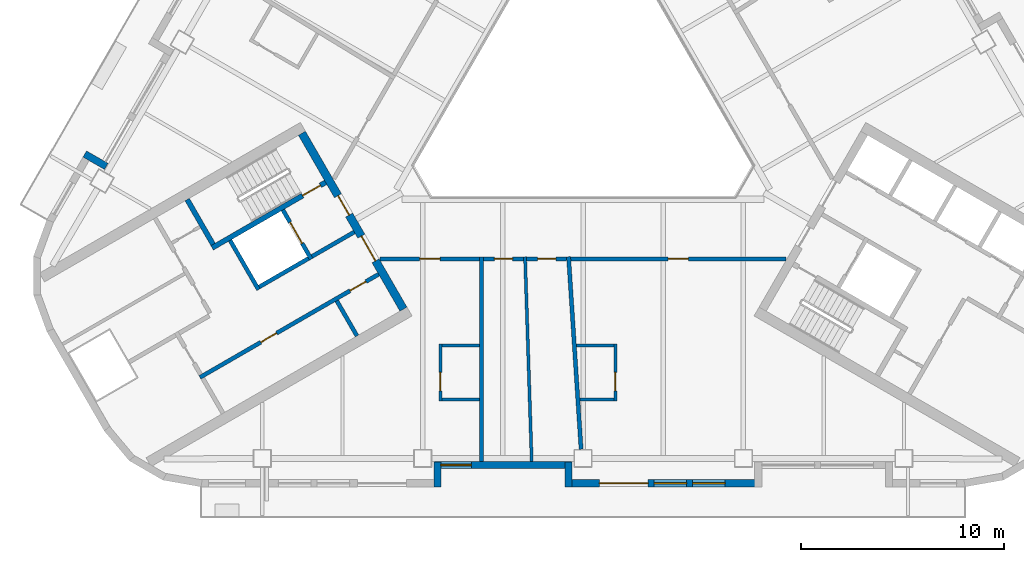
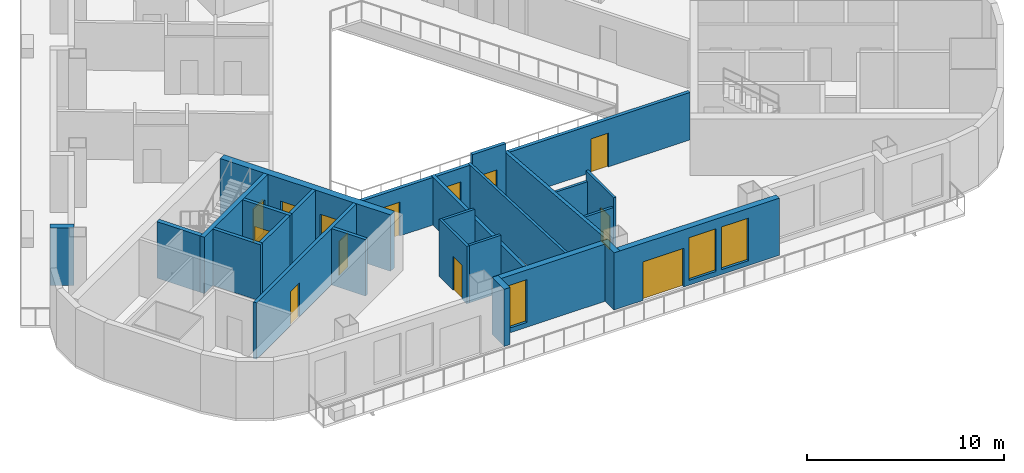
# One storey, part 3 of 13: 27 walls, 13 doors, 3 windows, 16 openings.
"""IFC4 building model written with IfcOpenShell, lengths in metres."""

from ifc_helpers import new_model, si_unit, direction, frame, frame_2d, origin, place, context, subcontext, project, spatial, rectangle, extrude, material, layer, layer_set, type_object, element, fill, save


model = new_model("IFC4")

# Units and contexts
model_context = context("Model", 3, precision=1e-05, world=origin(), true_north=direction((0.0, 1.0)))
body_context = subcontext(model_context, "Body", "Model", "MODEL_VIEW")
ifc_project = project(units=[si_unit("LENGTHUNIT", "METRE"), si_unit("AREAUNIT", "SQUARE_METRE"), si_unit("VOLUMEUNIT", "CUBIC_METRE"), si_unit("PLANEANGLEUNIT", "RADIAN"), si_unit("MASSUNIT", "GRAM", prefix="KILO")], contexts=[model_context])

# Site, building, storey
site_placement = place(None, origin())
site = spatial("IfcSite", under=ifc_project, at=site_placement, CompositionType="ELEMENT")
building_placement = place(site_placement, origin())
building = spatial("IfcBuilding", under=site, at=building_placement, Name="Apuvela Tower Hotel", CompositionType="ELEMENT")
storey_placement = place(building_placement, frame((0.0, 0.0, 102.0)))
storey = spatial("IfcBuildingStorey", under=building, at=storey_placement, Name="L23", CompositionType="ELEMENT", Elevation=102.0)

# Wall, openings, doors
ifc_material_1 = material(Name="Concrete C50/60", Category="concrete")
ifc_layer_1 = layer(ifc_material_1, 0.39990234375)
ifc_layer_set_1 = layer_set([ifc_layer_1], Name="COR-WALL-CORE-400")
wall_type_1 = type_object("IfcWallType", Name="COR-WALL-CORE-400", PredefinedType="SHEAR", material=ifc_layer_set_1)
wall_1_placement = place(storey_placement, frame((-13.844970703125, -2.219970703125, 0.0), z_axis=(0.0, 0.0, 1.0), x_axis=(0.500004234368, -0.866022959057, 0.0)))
wall_1 = element("IfcWall", 1, at=wall_1_placement, inside=storey, type_object=wall_type_1, Name="Core wall SW", PredefinedType="SHEAR", context=body_context, shape_type="SweptSolid", body=[
    extrude(rectangle(XDim=10.0, YDim=0.39990234375, at=frame_2d((5.0, 0.0))), origin(), (0.0, 0.0, 1.0), 3.5),
])
opening_1_placement = place(wall_1_placement, frame((3.550048828125, 0.0, 0.0)))
opening_1 = element("IfcOpeningElement", 2, at=opening_1_placement, cuts=wall_1, Name="Opening W-FD", PredefinedType="OPENING", context=body_context, shape_type="SweptSolid", body=[
    extrude(rectangle(XDim=1.10009765625, YDim=2.10009765625, at=frame_2d((0.550048828125, 1.050048828125))), frame((0.0, 0.2099609375, 0.0), z_axis=(0.0, -1.0, 0.0), x_axis=(1.0, 0.0, 0.0)), (0.0, 0.0, 1.0), 0.419921875),
])
opening_2_placement = place(wall_1_placement, frame((5.85009765625, 0.0, 0.0)))
opening_2 = element("IfcOpeningElement", 3, at=opening_2_placement, cuts=wall_1, Name="Opening W-GD", PredefinedType="OPENING", context=body_context, shape_type="SweptSolid", body=[
    extrude(rectangle(XDim=1.39990234375, YDim=2.10009765625, at=frame_2d((0.699951171875, 1.050048828125))), frame((0.0, 0.2099609375, 0.0), z_axis=(0.0, -1.0, 0.0), x_axis=(1.0, 0.0, 0.0)), (0.0, 0.0, 1.0), 0.419921875),
])
ifc_material_2 = material(Name="Steel fire door, powder coated", Category="steel")
door_type_1 = type_object("IfcDoorType", Name="COR-FD-1100", OperationType="NOTDEFINED", PredefinedType="DOOR", material=ifc_material_2)
door_1_placement = place(opening_1_placement, frame((1.10009765625, 0.0, 0.0), z_axis=(0.0, 0.0, 1.0), x_axis=(-1.0, 0.0, 0.0)))
door_1 = element("IfcDoor", 4, at=door_1_placement, inside=storey, type_object=door_type_1, Name="Firefighting lobby door W-FD", OperationType="SINGLE_SWING_LEFT", OverallHeight=2.10009765625, OverallWidth=1.10009765625, PredefinedType="DOOR", context=body_context, shape_type="SweptSolid", body=[
    extrude(rectangle(XDim=1.10009765625, YDim=2.10009765625, at=frame_2d((0.550048828125, 1.050048828125))), frame((0.0, 0.02490234375, 0.0), z_axis=(0.0, -1.0, 0.0), x_axis=(1.0, 0.0, 0.0)), (0.0, 0.0, 1.0), 0.050048828125),
])
fill(opening_1, door_1)
ifc_material_3 = material(Name="Glazed steel fire door", Category="steel")
door_type_2 = type_object("IfcDoorType", Name="COR-GD-1400", OperationType="DOUBLE_DOOR_SINGLE_SWING", PredefinedType="DOOR", material=ifc_material_3)
door_2_placement = place(opening_2_placement, frame((1.39990234375, 0.0, 0.0), z_axis=(0.0, 0.0, 1.0), x_axis=(-1.0, 0.0, 0.0)))
door_2 = element("IfcDoor", 5, at=door_2_placement, inside=storey, type_object=door_type_2, Name="Lift lobby door W-GD", OperationType="DOUBLE_DOOR_SINGLE_SWING", OverallHeight=2.10009765625, OverallWidth=1.39990234375, PredefinedType="DOOR", context=body_context, shape_type="SweptSolid", body=[
    extrude(rectangle(XDim=1.39990234375, YDim=2.10009765625, at=frame_2d((0.699951171875, 1.050048828125))), frame((0.0, 0.02490234375, 0.0), z_axis=(0.0, -1.0, 0.0), x_axis=(1.0, 0.0, 0.0)), (0.0, 0.0, 1.0), 0.050048828125),
])
fill(opening_2, door_2)

# Wall
ifc_layer_2 = layer(ifc_material_1, 0.199951171875)
ifc_layer_set_2 = layer_set([ifc_layer_2], Name="COR-WALL-SHAFT-200")
wall_type_2 = type_object("IfcWallType", Name="COR-WALL-SHAFT-200", PredefinedType="SHEAR", material=ifc_layer_set_2)
wall_2_placement = place(storey_placement, frame((-17.38134765625, -7.49462890625, 0.0), z_axis=(0.0, 0.0, 1.0), x_axis=(0.500011755427, -0.866018616679, 0.0)))
element("IfcWall", 6, at=wall_2_placement, inside=storey, type_object=wall_type_2, Name="Shaft wall SW", PredefinedType="SHEAR", context=body_context, shape_type="SweptSolid", body=[
    extrude(rectangle(XDim=2.80029296875, YDim=0.199951171875, at=frame_2d((1.400146484375, 0.0))), origin(), (0.0, 0.0, 1.0), 3.5),
])

# Wall, opening, door
wall_3_placement = place(storey_placement, frame((-14.783203125, -5.99462890625, 0.0), z_axis=(0.0, 0.0, 1.0), x_axis=(0.49994636267, -0.866056369097, 0.0)))
wall_3 = element("IfcWall", 7, at=wall_3_placement, inside=storey, type_object=wall_type_2, Name="Shaft wall SW", PredefinedType="SHEAR", context=body_context, shape_type="SweptSolid", body=[
    extrude(rectangle(XDim=2.800048828125, YDim=0.199951171875, at=frame_2d((1.39990234375, 0.0))), origin(), (0.0, 0.0, 1.0), 3.5),
])
opening_3_placement = place(wall_3_placement, frame((0.699951171875, 0.0, 0.0)))
opening_3 = element("IfcOpeningElement", 8, at=opening_3_placement, cuts=wall_3, Name="Opening W-LD-FS2", PredefinedType="OPENING", context=body_context, shape_type="SweptSolid", body=[
    extrude(rectangle(XDim=1.199951171875, YDim=2.10009765625, at=frame_2d((0.60009765625, 1.050048828125))), frame((0.0, 0.10986328125, 0.0), z_axis=(0.0, -1.0, 0.0), x_axis=(1.0, 0.0, 0.0)), (0.0, 0.0, 1.0), 0.219970703125),
])
ifc_material_4 = material(Name="Stainless steel lift landing door", Category="steel")
door_type_3 = type_object("IfcDoorType", Name="COR-LD-1200", OperationType="DOUBLE_DOOR_SLIDING", PredefinedType="DOOR", material=ifc_material_4)
door_3_placement = place(opening_3_placement, origin())
door_3 = element("IfcDoor", 9, at=door_3_placement, inside=storey, type_object=door_type_3, Name="Lift landing door W-LD-FS2", OperationType="DOUBLE_DOOR_SLIDING", OverallHeight=2.10009765625, OverallWidth=1.199951171875, PredefinedType="DOOR", context=body_context, shape_type="SweptSolid", body=[
    extrude(rectangle(XDim=1.199951171875, YDim=2.10009765625, at=frame_2d((0.60009765625, 1.050048828125))), frame((0.0, 0.02490234375, 0.0), z_axis=(0.0, -1.0, 0.0), x_axis=(1.0, 0.0, 0.0)), (0.0, 0.0, 1.0), 0.050048828125),
])
fill(opening_3, door_3)

# Walls
wall_4_placement = place(storey_placement, frame((-13.519775390625, -8.383056640625, 0.0), z_axis=(0.0, 0.0, 1.0), x_axis=(-0.866034573852, -0.49998411664, 0.0)))
element("IfcWall", 10, at=wall_4_placement, inside=storey, type_object=wall_type_2, Name="Shaft wall SW", PredefinedType="SHEAR", context=body_context, shape_type="SweptSolid", body=[
    extrude(rectangle(XDim=2.7998046875, YDim=0.199951171875, at=frame_2d((1.39990234375, 0.0))), origin(), (0.0, 0.0, 1.0), 3.5),
])
wall_5_placement = place(storey_placement, frame((-11.26806640625, -7.0830078125, 0.0), z_axis=(0.0, 0.0, 1.0), x_axis=(-0.866050077142, -0.499957262057, 0.0)))
element("IfcWall", 11, at=wall_5_placement, inside=storey, type_object=wall_type_2, Name="Shaft wall SW", PredefinedType="SHEAR", context=body_context, shape_type="SweptSolid", body=[
    extrude(rectangle(XDim=2.400146484375, YDim=0.199951171875, at=frame_2d((1.2001953125, 0.0))), origin(), (0.0, 0.0, 1.0), 3.5),
])

# Wall, openings, doors
wall_6_placement = place(storey_placement, frame((-10.068115234375, -9.16162109375, 0.0), z_axis=(0.0, 0.0, 1.0), x_axis=(-0.866032725843, -0.499987317609, 0.0)))
wall_6 = element("IfcWall", 12, at=wall_6_placement, inside=storey, type_object=wall_type_2, Name="Shaft wall SW", PredefinedType="SHEAR", context=body_context, shape_type="SweptSolid", body=[
    extrude(rectangle(XDim=10.159912109375, YDim=0.199951171875, at=frame_2d((5.080078125, 0.0))), origin(), (0.0, 0.0, 1.0), 3.5),
])
opening_4_placement = place(wall_6_placement, frame((0.719970703125, 0.0, 0.0)))
opening_4 = element("IfcOpeningElement", 13, at=opening_4_placement, cuts=wall_6, Name="Opening W-RE1", PredefinedType="OPENING", context=body_context, shape_type="SweptSolid", body=[
    extrude(rectangle(XDim=0.89990234375, YDim=2.10009765625, at=frame_2d((0.449951171875, 1.050048828125))), frame((0.0, 0.10986328125, 0.0), z_axis=(0.0, -1.0, 0.0), x_axis=(1.0, 0.0, 0.0)), (0.0, 0.0, 1.0), 0.219970703125),
])
opening_5_placement = place(wall_6_placement, frame((5.800048828125, 0.0, 0.0)))
opening_5 = element("IfcOpeningElement", 14, at=opening_5_placement, cuts=wall_6, Name="Opening W-RE2", PredefinedType="OPENING", context=body_context, shape_type="SweptSolid", body=[
    extrude(rectangle(XDim=0.89990234375, YDim=2.10009765625, at=frame_2d((0.449951171875, 1.050048828125))), frame((0.0, 0.10986328125, 0.0), z_axis=(0.0, -1.0, 0.0), x_axis=(1.0, 0.0, 0.0)), (0.0, 0.0, 1.0), 0.219970703125),
])
door_type_4 = type_object("IfcDoorType", Name="COR-DR-900", OperationType="NOTDEFINED", PredefinedType="DOOR", material=ifc_material_2)
door_4_placement = place(opening_4_placement, origin())
door_4 = element("IfcDoor", 15, at=door_4_placement, inside=storey, type_object=door_type_4, Name="Store door W-RE1", OperationType="SINGLE_SWING_LEFT", OverallHeight=2.10009765625, OverallWidth=0.89990234375, PredefinedType="DOOR", context=body_context, shape_type="SweptSolid", body=[
    extrude(rectangle(XDim=0.89990234375, YDim=2.10009765625, at=frame_2d((0.449951171875, 1.050048828125))), frame((0.0, 0.02490234375, 0.0), z_axis=(0.0, -1.0, 0.0), x_axis=(1.0, 0.0, 0.0)), (0.0, 0.0, 1.0), 0.050048828125),
])
fill(opening_4, door_4)
door_5_placement = place(opening_5_placement, origin())
door_5 = element("IfcDoor", 16, at=door_5_placement, inside=storey, type_object=door_type_4, Name="Store door W-RE2", OperationType="SINGLE_SWING_RIGHT", OverallHeight=2.10009765625, OverallWidth=0.89990234375, PredefinedType="DOOR", context=body_context, shape_type="SweptSolid", body=[
    extrude(rectangle(XDim=0.89990234375, YDim=2.10009765625, at=frame_2d((0.449951171875, 1.050048828125))), frame((0.0, 0.02490234375, 0.0), z_axis=(0.0, -1.0, 0.0), x_axis=(1.0, 0.0, 0.0)), (0.0, 0.0, 1.0), 0.050048828125),
])
fill(opening_5, door_5)

# Wall
wall_7_placement = place(storey_placement, frame((-12.131103515625, -10.468017578125, 0.0), z_axis=(0.0, 0.0, 1.0), x_axis=(0.499972520799, -0.866041268327, 0.0)))
element("IfcWall", 17, at=wall_7_placement, inside=storey, type_object=wall_type_2, Name="Shaft wall SW", PredefinedType="SHEAR", context=body_context, shape_type="SweptSolid", body=[
    extrude(rectangle(XDim=2.0, YDim=0.199951171875, at=frame_2d((1.0, 0.0))), origin(), (0.0, 0.0, 1.0), 3.5),
])

# Wall, opening, door
ifc_layer_3 = layer(ifc_material_1, 0.25)
ifc_layer_set_3 = layer_set([ifc_layer_3], Name="COR-WALL-STAIR-250")
wall_type_3 = type_object("IfcWallType", Name="COR-WALL-STAIR-250", PredefinedType="SHEAR", material=ifc_layer_set_3)
wall_8_placement = place(storey_placement, frame((-12.6806640625, -4.636474609375, 0.0), z_axis=(0.0, 0.0, 1.0), x_axis=(-0.866021702275, -0.500006411147, 0.0)))
wall_8 = element("IfcWall", 18, at=wall_8_placement, inside=storey, type_object=wall_type_3, Name="Stair wall SW", PredefinedType="SHEAR", context=body_context, shape_type="SweptSolid", body=[
    extrude(rectangle(XDim=6.4501953125, YDim=0.25, at=frame_2d((3.22509765625, 0.0))), origin(), (0.0, 0.0, 1.0), 3.5),
])
opening_6_placement = place(wall_8_placement, frame((0.300048828125, 0.0, 0.0)))
opening_6 = element("IfcOpeningElement", 19, at=opening_6_placement, cuts=wall_8, Name="Opening W-SD", PredefinedType="OPENING", context=body_context, shape_type="SweptSolid", body=[
    extrude(rectangle(XDim=1.0, YDim=2.10009765625, at=frame_2d((0.5, 1.050048828125))), frame((0.0, 0.135009765625, 0.0), z_axis=(0.0, -1.0, 0.0), x_axis=(1.0, 0.0, 0.0)), (0.0, 0.0, 1.0), 0.27001953125),
])
door_type_5 = type_object("IfcDoorType", Name="COR-SD-1000", OperationType="NOTDEFINED", PredefinedType="DOOR", material=ifc_material_2)
door_6_placement = place(opening_6_placement, frame((1.0, 0.0, 0.0), z_axis=(0.0, 0.0, 1.0), x_axis=(-1.0, 0.0, 0.0)))
door_6 = element("IfcDoor", 20, at=door_6_placement, inside=storey, type_object=door_type_5, Name="Stair door W-SD", OperationType="SINGLE_SWING_LEFT", OverallHeight=2.10009765625, OverallWidth=1.0, PredefinedType="DOOR", context=body_context, shape_type="SweptSolid", body=[
    extrude(rectangle(XDim=1.0, YDim=2.10009765625, at=frame_2d((0.5, 1.050048828125))), frame((0.0, 0.02490234375, 0.0), z_axis=(0.0, -1.0, 0.0), x_axis=(1.0, 0.0, 0.0)), (0.0, 0.0, 1.0), 0.050048828125),
])
fill(opening_6, door_6)

# Walls
wall_9_placement = place(storey_placement, frame((-19.49560546875, -5.482421875, 0.0), z_axis=(0.0, 0.0, 1.0), x_axis=(0.499990435942, -0.866030925526, 0.0)))
element("IfcWall", 21, at=wall_9_placement, inside=storey, type_object=wall_type_3, Name="Stair wall SW", PredefinedType="SHEAR", context=body_context, shape_type="SweptSolid", body=[
    extrude(rectangle(XDim=2.5498046875, YDim=0.25, at=frame_2d((1.27490234375, 0.0))), origin(), (0.0, 0.0, 1.0), 3.5),
])
ifc_material_5 = material(Name="Concrete C40/50, dark pigmented precast panel", Category="concrete")
ifc_layer_4 = layer(ifc_material_5, 0.35009765625)
ifc_layer_set_4 = layer_set([ifc_layer_4], Name="ENV-WALL-350")
wall_type_4 = type_object("IfcWallType", Name="ENV-WALL-350", PredefinedType="SOLIDWALL", material=ifc_layer_set_4)
for number, where, z_axis, x_axis, name in (
    (22, (-23.48095703125, -3.85009765625, 0.0), (0.0, 0.0, 1.0), (-0.866092288191, 0.499884134912, 0.0), "External wall L23-08"),
    (23, (-7.175048828125, -19.6298828125, 0.0), (0.0, 0.0, 1.0), (0.0, 1.0, 0.0), "External wall L23-18"),
):
    element("IfcWall", number, at=place(storey_placement, frame(where, z_axis=z_axis, x_axis=x_axis)), inside=storey, type_object=wall_type_4, Name=name, PredefinedType="SOLIDWALL", context=body_context, shape_type="SweptSolid", body=[
        extrude(rectangle(XDim=1.219970703125, YDim=0.35009765625, at=frame_2d((0.60986328125, 0.0))), origin(), (0.0, 0.0, 1.0), 3.550048828125),
    ])

# Wall, opening, window
wall_10_placement = place(storey_placement, frame((-7.320068359375, -18.554931640625, 0.0), z_axis=(0.0, 0.0, 1.0), x_axis=(1.0, 0.0, 0.0)))
wall_10 = element("IfcWall", 24, at=wall_10_placement, inside=storey, type_object=wall_type_4, Name="External wall L23-19", PredefinedType="SOLIDWALL", context=body_context, shape_type="SweptSolid", body=[
    extrude(rectangle(XDim=6.739990234375, YDim=0.35009765625, at=frame_2d((3.3701171875, 0.0))), origin(), (0.0, 0.0, 1.0), 3.550048828125),
])
opening_7_placement = place(wall_10_placement, frame((0.3203125, 0.0, 0.300048828125)))
opening_7 = element("IfcOpeningElement", 25, at=opening_7_placement, cuts=wall_10, Name="Opening WN15", PredefinedType="OPENING", context=body_context, shape_type="SweptSolid", body=[
    extrude(rectangle(XDim=1.5, YDim=2.64990234375, at=frame_2d((0.75, 1.324951171875))), frame((0.0, 0.18505859375, 0.0), z_axis=(0.0, -1.0, 0.0), x_axis=(1.0, 0.0, 0.0)), (0.0, 0.0, 1.0), 0.3701171875),
])
ifc_material_6 = material(Name="Glass, dark tinted laminated insulated glazing unit", Category="glass")
window_type_1 = type_object("IfcWindowType", Name="ENV-WIN-1500x2650", PartitioningType="SINGLE_PANEL", PredefinedType="WINDOW", material=ifc_material_6)
window_1_placement = place(opening_7_placement, origin())
window_1 = element("IfcWindow", 26, at=window_1_placement, inside=storey, type_object=window_type_1, Name="Window WN15", OverallHeight=2.64990234375, OverallWidth=1.5, PartitioningType="SINGLE_PANEL", PredefinedType="WINDOW", context=body_context, shape_type="SweptSolid", body=[
    extrude(rectangle(XDim=1.5, YDim=2.64990234375, at=frame_2d((0.75, 1.324951171875))), frame((0.0, 0.030029296875, 0.0), z_axis=(0.0, -1.0, 0.0), x_axis=(1.0, 0.0, 0.0)), (0.0, 0.0, 1.0), 0.06005859375),
])
fill(opening_7, window_1)

# Wall
wall_11_placement = place(storey_placement, frame((-0.72509765625, -18.409912109375, 0.0), z_axis=(0.0, 0.0, 1.0), x_axis=(0.0, -1.0, 0.0)))
element("IfcWall", 27, at=wall_11_placement, inside=storey, type_object=wall_type_4, Name="External wall L23-20", PredefinedType="SOLIDWALL", context=body_context, shape_type="SweptSolid", body=[
    extrude(rectangle(XDim=1.219970703125, YDim=0.35009765625, at=frame_2d((0.60986328125, 0.0))), origin(), (0.0, 0.0, 1.0), 3.550048828125),
])

# Wall, openings, door, windows
wall_12_placement = place(storey_placement, frame((-0.89990234375, -19.455078125, 0.0), z_axis=(0.0, 0.0, 1.0), x_axis=(1.0, 0.0, 0.0)))
wall_12 = element("IfcWall", 28, at=wall_12_placement, inside=storey, type_object=wall_type_4, Name="External wall L23-21", PredefinedType="SOLIDWALL", context=body_context, shape_type="SweptSolid", body=[
    extrude(rectangle(XDim=9.699951171875, YDim=0.35009765625, at=frame_2d((4.85009765625, 0.0))), origin(), (0.0, 0.0, 1.0), 3.550048828125),
])
opening_8_placement = place(wall_12_placement, frame((1.7001953125, 0.0, 0.0)))
opening_8 = element("IfcOpeningElement", 29, at=opening_8_placement, cuts=wall_12, Name="Opening BD24", PredefinedType="OPENING", context=body_context, shape_type="SweptSolid", body=[
    extrude(rectangle(XDim=2.39990234375, YDim=2.39990234375, at=frame_2d((1.199951171875, 1.199951171875))), frame((0.0, 0.18505859375, 0.0), z_axis=(0.0, -1.0, 0.0), x_axis=(1.0, 0.0, 0.0)), (0.0, 0.0, 1.0), 0.3701171875),
])
opening_9_placement = place(wall_12_placement, frame((4.400146484375, 0.0, 0.300048828125)))
opening_9 = element("IfcOpeningElement", 30, at=opening_9_placement, cuts=wall_12, Name="Opening WN16", PredefinedType="OPENING", context=body_context, shape_type="SweptSolid", body=[
    extrude(rectangle(XDim=1.60009765625, YDim=2.64990234375, at=frame_2d((0.800048828125, 1.324951171875))), frame((0.0, 0.18505859375, 0.0), z_axis=(0.0, -1.0, 0.0), x_axis=(1.0, 0.0, 0.0)), (0.0, 0.0, 1.0), 0.3701171875),
])
opening_10_placement = place(wall_12_placement, frame((6.30029296875, 0.0, 0.300048828125)))
opening_10 = element("IfcOpeningElement", 31, at=opening_10_placement, cuts=wall_12, Name="Opening WN16", PredefinedType="OPENING", context=body_context, shape_type="SweptSolid", body=[
    extrude(rectangle(XDim=1.60009765625, YDim=2.64990234375, at=frame_2d((0.800048828125, 1.324951171875))), frame((0.0, 0.18505859375, 0.0), z_axis=(0.0, -1.0, 0.0), x_axis=(1.0, 0.0, 0.0)), (0.0, 0.0, 1.0), 0.3701171875),
])
ifc_material_7 = material(Name="Aluminium 6063-T6, dark bronze anodised frame with dark tinted laminated glass", Category="aluminium")
door_type_6 = type_object("IfcDoorType", Name="ENV-DOOR-BALCONY-2400x2400", OperationType="SLIDING_TO_LEFT", PredefinedType="DOOR", material=ifc_material_7)
door_7_placement = place(opening_8_placement, frame((2.39990234375, 0.0, 0.0), z_axis=(0.0, 0.0, 1.0), x_axis=(-1.0, 0.0, 0.0)))
door_7 = element("IfcDoor", 32, at=door_7_placement, inside=storey, type_object=door_type_6, Name="Balcony door BD24", OperationType="SLIDING_TO_LEFT", OverallHeight=2.39990234375, OverallWidth=2.39990234375, PredefinedType="DOOR", context=body_context, shape_type="SweptSolid", body=[
    extrude(rectangle(XDim=2.39990234375, YDim=2.39990234375, at=frame_2d((1.199951171875, 1.199951171875))), frame((0.0, 0.02490234375, 0.0), z_axis=(0.0, -1.0, 0.0), x_axis=(1.0, 0.0, 0.0)), (0.0, 0.0, 1.0), 0.050048828125),
])
fill(opening_8, door_7)
window_type_2 = type_object("IfcWindowType", Name="ENV-WIN-1600x2650", PartitioningType="SINGLE_PANEL", PredefinedType="WINDOW", material=ifc_material_6)
window_2_placement = place(opening_9_placement, origin())
window_2 = element("IfcWindow", 33, at=window_2_placement, inside=storey, type_object=window_type_2, Name="Window WN16", OverallHeight=2.64990234375, OverallWidth=1.60009765625, PartitioningType="SINGLE_PANEL", PredefinedType="WINDOW", context=body_context, shape_type="SweptSolid", body=[
    extrude(rectangle(XDim=1.60009765625, YDim=2.64990234375, at=frame_2d((0.800048828125, 1.324951171875))), frame((0.0, 0.030029296875, 0.0), z_axis=(0.0, -1.0, 0.0), x_axis=(1.0, 0.0, 0.0)), (0.0, 0.0, 1.0), 0.06005859375),
])
fill(opening_9, window_2)
window_3_placement = place(opening_10_placement, origin())
window_3 = element("IfcWindow", 34, at=window_3_placement, inside=storey, type_object=window_type_2, Name="Window WN16", OverallHeight=2.64990234375, OverallWidth=1.60009765625, PartitioningType="SINGLE_PANEL", PredefinedType="WINDOW", context=body_context, shape_type="SweptSolid", body=[
    extrude(rectangle(XDim=1.60009765625, YDim=2.64990234375, at=frame_2d((0.800048828125, 1.324951171875))), frame((0.0, 0.030029296875, 0.0), z_axis=(0.0, -1.0, 0.0), x_axis=(1.0, 0.0, 0.0)), (0.0, 0.0, 1.0), 0.06005859375),
])
fill(opening_10, window_3)

# Walls
ifc_material_8 = material(Name="Gypsum board partition on twin steel stud", Category="steel")
ifc_layer_5 = layer(ifc_material_8, 0.199951171875)
ifc_layer_set_5 = layer_set([ifc_layer_5], Name="GST-PW1")
wall_type_5 = type_object("IfcWallType", Name="GST-PW1", PredefinedType="PARTITIONING", material=ifc_layer_set_5)
wall_13_placement = place(storey_placement, frame((-5.0, -18.3798828125, 0.0), z_axis=(0.0, 0.0, 1.0), x_axis=(0.0, 1.0, 0.0)))
element("IfcWall", 35, at=wall_13_placement, inside=storey, type_object=wall_type_5, Name="L23 partition 01", PredefinedType="PARTITIONING", context=body_context, shape_type="SweptSolid", body=[
    extrude(rectangle(XDim=10.079833984375, YDim=0.199951171875, at=frame_2d((5.0400390625, 0.0))), origin(), (0.0, 0.0, 1.0), 2.9599609375),
])
wall_14_placement = place(storey_placement, frame((-0.097412109375, -17.780029296875, 0.0), z_axis=(0.0, 0.0, 1.0), x_axis=(-0.064787627283, 0.997899074732, 0.0)))
element("IfcWall", 36, at=wall_14_placement, inside=storey, type_object=wall_type_5, Name="L23 partition 02", PredefinedType="PARTITIONING", context=body_context, shape_type="SweptSolid", body=[
    extrude(rectangle(XDim=9.5, YDim=0.199951171875, at=frame_2d((4.75, 0.0))), origin(), (0.0, 0.0, 1.0), 2.949951171875),
])

# Wall, opening, door
ifc_material_9 = material(Name="Gypsum board corridor wall on twin steel stud, acoustic", Category="steel")
ifc_layer_6 = layer(ifc_material_9, 0.199951171875)
ifc_layer_set_6 = layer_set([ifc_layer_6], Name="GST-PW2")
wall_type_6 = type_object("IfcWallType", Name="GST-PW2", PredefinedType="PARTITIONING", material=ifc_layer_set_6)
wall_15_placement = place(storey_placement, frame((-5.10009765625, -8.39990234375, 0.0), z_axis=(0.0, 0.0, 1.0), x_axis=(-1.0, 0.0, 0.0)))
wall_15 = element("IfcWall", 37, at=wall_15_placement, inside=storey, type_object=wall_type_6, Name="L23 partition 07", PredefinedType="PARTITIONING", context=body_context, shape_type="SweptSolid", body=[
    extrude(rectangle(XDim=4.88818359375, YDim=0.199951171875, at=frame_2d((2.444091796875, 0.0))), origin(), (0.0, 0.0, 1.0), 2.949951171875),
])
opening_11_placement = place(wall_15_placement, frame((1.944091796875, 0.0, 0.0)))
opening_11 = element("IfcOpeningElement", 38, at=opening_11_placement, cuts=wall_15, Name="Opening GD08-02", PredefinedType="OPENING", context=body_context, shape_type="SweptSolid", body=[
    extrude(rectangle(XDim=1.0, YDim=2.10009765625, at=frame_2d((0.5, 1.050048828125))), frame((0.0, 0.10986328125, 0.0), z_axis=(0.0, -1.0, 0.0), x_axis=(1.0, 0.0, 0.0)), (0.0, 0.0, 1.0), 0.219970703125),
])
ifc_material_10 = material(Name="Timber door leaf in steel frame", Category="steel")
door_type_7 = type_object("IfcDoorType", Name="GST-D1", OperationType="NOTDEFINED", PredefinedType="DOOR", material=ifc_material_10)
door_8_placement = place(opening_11_placement, origin())
door_8 = element("IfcDoor", 39, at=door_8_placement, inside=storey, type_object=door_type_7, Name="Door L23-02", OperationType="SINGLE_SWING_LEFT", OverallHeight=2.10009765625, OverallWidth=1.0, PredefinedType="DOOR", context=body_context, shape_type="SweptSolid", body=[
    extrude(rectangle(XDim=1.0, YDim=2.10009765625, at=frame_2d((0.5, 1.050048828125))), frame((0.0, 0.02490234375, 0.0), z_axis=(0.0, -1.0, 0.0), x_axis=(1.0, 0.0, 0.0)), (0.0, 0.0, 1.0), 0.050048828125),
])
fill(opening_11, door_8)

wall_16_placement = place(storey_placement, frame((-2.92822265625, -8.39990234375, 0.0), z_axis=(0.0, 0.0, 1.0), x_axis=(-1.0, 0.0, 0.0)))
wall_16 = element("IfcWall", 40, at=wall_16_placement, inside=storey, type_object=wall_type_6, Name="L23 partition 12", PredefinedType="PARTITIONING", context=body_context, shape_type="SweptSolid", body=[
    extrude(rectangle(XDim=1.9716796875, YDim=0.199951171875, at=frame_2d((0.98583984375, 0.0))), origin(), (0.0, 0.0, 1.0), 2.949951171875),
])
opening_12_placement = place(wall_16_placement, frame((0.535888671875, 0.0, 0.0)))
opening_12 = element("IfcOpeningElement", 41, at=opening_12_placement, cuts=wall_16, Name="Opening GD08-03", PredefinedType="OPENING", context=body_context, shape_type="SweptSolid", body=[
    extrude(rectangle(XDim=0.89990234375, YDim=2.10009765625, at=frame_2d((0.449951171875, 1.050048828125))), frame((0.0, 0.10986328125, 0.0), z_axis=(0.0, -1.0, 0.0), x_axis=(1.0, 0.0, 0.0)), (0.0, 0.0, 1.0), 0.219970703125),
])
door_type_8 = type_object("IfcDoorType", Name="GST-D2", OperationType="NOTDEFINED", PredefinedType="DOOR", material=ifc_material_10)
door_9_placement = place(opening_12_placement, origin())
door_9 = element("IfcDoor", 42, at=door_9_placement, inside=storey, type_object=door_type_8, Name="Door L23-03", OperationType="SINGLE_SWING_LEFT", OverallHeight=2.10009765625, OverallWidth=0.89990234375, PredefinedType="DOOR", context=body_context, shape_type="SweptSolid", body=[
    extrude(rectangle(XDim=0.89990234375, YDim=2.10009765625, at=frame_2d((0.449951171875, 1.050048828125))), frame((0.0, 0.02490234375, 0.0), z_axis=(0.0, -1.0, 0.0), x_axis=(1.0, 0.0, 0.0)), (0.0, 0.0, 1.0), 0.050048828125),
])
fill(opening_12, door_9)

wall_17_placement = place(storey_placement, frame((-0.806640625, -8.39990234375, 0.0), z_axis=(0.0, 0.0, 1.0), x_axis=(-1.0, 0.0, 0.0)))
wall_17 = element("IfcWall", 43, at=wall_17_placement, inside=storey, type_object=wall_type_6, Name="L23 partition 13", PredefinedType="PARTITIONING", context=body_context, shape_type="SweptSolid", body=[
    extrude(rectangle(XDim=1.9716796875, YDim=0.199951171875, at=frame_2d((0.98583984375, 0.0))), origin(), (0.0, 0.0, 1.0), 3.550048828125),
])
opening_13_placement = place(wall_17_placement, frame((0.535888671875, 0.0, 0.0)))
opening_13 = element("IfcOpeningElement", 44, at=opening_13_placement, cuts=wall_17, Name="Opening GD08-04", PredefinedType="OPENING", context=body_context, shape_type="SweptSolid", body=[
    extrude(rectangle(XDim=0.89990234375, YDim=2.10009765625, at=frame_2d((0.449951171875, 1.050048828125))), frame((0.0, 0.10986328125, 0.0), z_axis=(0.0, -1.0, 0.0), x_axis=(1.0, 0.0, 0.0)), (0.0, 0.0, 1.0), 0.219970703125),
])
door_10_placement = place(opening_13_placement, origin())
door_10 = element("IfcDoor", 45, at=door_10_placement, inside=storey, type_object=door_type_8, Name="Door L23-04", OperationType="SINGLE_SWING_RIGHT", OverallHeight=2.10009765625, OverallWidth=0.89990234375, PredefinedType="DOOR", context=body_context, shape_type="SweptSolid", body=[
    extrude(rectangle(XDim=0.89990234375, YDim=2.10009765625, at=frame_2d((0.449951171875, 1.050048828125))), frame((0.0, 0.02490234375, 0.0), z_axis=(0.0, -1.0, 0.0), x_axis=(1.0, 0.0, 0.0)), (0.0, 0.0, 1.0), 0.050048828125),
])
fill(opening_13, door_10)

wall_18_placement = place(storey_placement, frame((9.98828125, -8.39990234375, 0.0), z_axis=(0.0, 0.0, 1.0), x_axis=(-1.0, 0.0, 0.0)))
wall_18 = element("IfcWall", 46, at=wall_18_placement, inside=storey, type_object=wall_type_6, Name="L23 partition 14", PredefinedType="PARTITIONING", context=body_context, shape_type="SweptSolid", body=[
    extrude(rectangle(XDim=10.594482421875, YDim=0.199951171875, at=frame_2d((5.29736328125, 0.0))), origin(), (0.0, 0.0, 1.0), 2.949951171875),
])
opening_14_placement = place(wall_18_placement, frame((4.79736328125, 0.0, 0.0)))
opening_14 = element("IfcOpeningElement", 47, at=opening_14_placement, cuts=wall_18, Name="Opening GD08-06", PredefinedType="OPENING", context=body_context, shape_type="SweptSolid", body=[
    extrude(rectangle(XDim=1.0, YDim=2.10009765625, at=frame_2d((0.5, 1.050048828125))), frame((0.0, 0.10986328125, 0.0), z_axis=(0.0, -1.0, 0.0), x_axis=(1.0, 0.0, 0.0)), (0.0, 0.0, 1.0), 0.219970703125),
])
door_11_placement = place(opening_14_placement, origin())
door_11 = element("IfcDoor", 48, at=door_11_placement, inside=storey, type_object=door_type_7, Name="Door L23-06", OperationType="SINGLE_SWING_RIGHT", OverallHeight=2.10009765625, OverallWidth=1.0, PredefinedType="DOOR", context=body_context, shape_type="SweptSolid", body=[
    extrude(rectangle(XDim=1.0, YDim=2.10009765625, at=frame_2d((0.5, 1.050048828125))), frame((0.0, 0.02490234375, 0.0), z_axis=(0.0, -1.0, 0.0), x_axis=(1.0, 0.0, 0.0)), (0.0, 0.0, 1.0), 0.050048828125),
])
fill(opening_14, door_11)

ifc_material_11 = material(Name="Moisture-resistant gypsum board wet wall on steel stud", Category="steel")
ifc_layer_7 = layer(ifc_material_11, 0.14990234375)
ifc_layer_set_7 = layer_set([ifc_layer_7], Name="GST-PW3")
wall_type_7 = type_object("IfcWallType", Name="GST-PW3", PredefinedType="PARTITIONING", material=ifc_layer_set_7)
wall_19_placement = place(storey_placement, frame((-7.02490234375, -12.60009765625, 0.0), z_axis=(0.0, 0.0, 1.0), x_axis=(0.0, -1.0, 0.0)))
wall_19 = element("IfcWall", 49, at=wall_19_placement, inside=storey, type_object=wall_type_7, Name="L23 partition 08", PredefinedType="PARTITIONING", context=body_context, shape_type="SweptSolid", body=[
    extrude(rectangle(XDim=2.7998046875, YDim=0.14990234375, at=frame_2d((1.39990234375, 0.0))), origin(), (0.0, 0.0, 1.0), 3.550048828125),
])
opening_15_placement = place(wall_19_placement, frame((1.39990234375, 0.0, 0.0)))
opening_15 = element("IfcOpeningElement", 50, at=opening_15_placement, cuts=wall_19, Name="Opening GD08-01", PredefinedType="OPENING", context=body_context, shape_type="SweptSolid", body=[
    extrude(rectangle(XDim=0.89990234375, YDim=2.10009765625, at=frame_2d((0.449951171875, 1.050048828125))), frame((0.0, 0.0849609375, 0.0), z_axis=(0.0, -1.0, 0.0), x_axis=(1.0, 0.0, 0.0)), (0.0, 0.0, 1.0), 0.169921875),
])
door_12_placement = place(opening_15_placement, origin())
door_12 = element("IfcDoor", 51, at=door_12_placement, inside=storey, type_object=door_type_8, Name="Door L23-01", OperationType="SINGLE_SWING_RIGHT", OverallHeight=2.10009765625, OverallWidth=0.89990234375, PredefinedType="DOOR", context=body_context, shape_type="SweptSolid", body=[
    extrude(rectangle(XDim=0.89990234375, YDim=2.10009765625, at=frame_2d((0.449951171875, 1.050048828125))), frame((0.0, 0.02490234375, 0.0), z_axis=(0.0, -1.0, 0.0), x_axis=(1.0, 0.0, 0.0)), (0.0, 0.0, 1.0), 0.050048828125),
])
fill(opening_15, door_12)

# Walls
for number, where, z_axis, x_axis, name in (
    (52, (-6.949951171875, -15.324951171875, 0.0), (0.0, 0.0, 1.0), (1.0, 0.0, 0.0), "L23 partition 09"),
    (53, (-6.949951171875, -12.675048828125, 0.0), (0.0, 0.0, 1.0), (1.0, 0.0, 0.0), "L23 partition 10"),
):
    element("IfcWall", number, at=place(storey_placement, frame(where, z_axis=z_axis, x_axis=x_axis)), inside=storey, type_object=wall_type_7, Name=name, PredefinedType="PARTITIONING", context=body_context, shape_type="SweptSolid", body=[
        extrude(rectangle(XDim=1.849853515625, YDim=0.14990234375, at=frame_2d((0.9248046875, 0.0))), origin(), (0.0, 0.0, 1.0), 3.550048828125),
    ])
wall_20_placement = place(storey_placement, frame((-2.529296875, -18.3798828125, 0.0), z_axis=(0.0, 0.0, 1.0), x_axis=(-0.032438656137, 0.999473728313, 0.0)))
element("IfcWall", 54, at=wall_20_placement, inside=storey, type_object=wall_type_7, Name="L23 partition 11", PredefinedType="PARTITIONING", context=body_context, shape_type="SweptSolid", body=[
    extrude(rectangle(XDim=10.085205078125, YDim=0.14990234375, at=frame_2d((5.04248046875, 0.0))), origin(), (0.0, 0.0, 1.0), 2.9599609375),
])

# Wall, opening, door
wall_21_placement = place(storey_placement, frame((1.59130859375, -15.39990234375, 0.0), z_axis=(0.0, 0.0, 1.0), x_axis=(0.0, 1.0, 0.0)))
wall_21 = element("IfcWall", 55, at=wall_21_placement, inside=storey, type_object=wall_type_7, Name="L23 partition 15", PredefinedType="PARTITIONING", context=body_context, shape_type="SweptSolid", body=[
    extrude(rectangle(XDim=2.7998046875, YDim=0.14990234375, at=frame_2d((1.39990234375, 0.0))), origin(), (0.0, 0.0, 1.0), 3.550048828125),
])
opening_16_placement = place(wall_21_placement, frame((0.5, 0.0, 0.0)))
opening_16 = element("IfcOpeningElement", 56, at=opening_16_placement, cuts=wall_21, Name="Opening GD08-05", PredefinedType="OPENING", context=body_context, shape_type="SweptSolid", body=[
    extrude(rectangle(XDim=0.89990234375, YDim=2.10009765625, at=frame_2d((0.449951171875, 1.050048828125))), frame((0.0, 0.0849609375, 0.0), z_axis=(0.0, -1.0, 0.0), x_axis=(1.0, 0.0, 0.0)), (0.0, 0.0, 1.0), 0.169921875),
])
door_13_placement = place(opening_16_placement, origin())
door_13 = element("IfcDoor", 57, at=door_13_placement, inside=storey, type_object=door_type_8, Name="Door L23-05", OperationType="SINGLE_SWING_LEFT", OverallHeight=2.10009765625, OverallWidth=0.89990234375, PredefinedType="DOOR", context=body_context, shape_type="SweptSolid", body=[
    extrude(rectangle(XDim=0.89990234375, YDim=2.10009765625, at=frame_2d((0.449951171875, 1.050048828125))), frame((0.0, 0.02490234375, 0.0), z_axis=(0.0, -1.0, 0.0), x_axis=(1.0, 0.0, 0.0)), (0.0, 0.0, 1.0), 0.050048828125),
])
fill(opening_16, door_13)

# Walls
wall_22_placement = place(storey_placement, frame((-0.156494140625, -15.324951171875, 0.0), z_axis=(0.0, 0.0, 1.0), x_axis=(1.0, 0.0, 0.0)))
element("IfcWall", 58, at=wall_22_placement, inside=storey, type_object=wall_type_7, Name="L23 partition 16", PredefinedType="PARTITIONING", context=body_context, shape_type="SweptSolid", body=[
    extrude(rectangle(XDim=1.6728515625, YDim=0.14990234375, at=frame_2d((0.83642578125, 0.0))), origin(), (0.0, 0.0, 1.0), 2.949951171875),
])
wall_23_placement = place(storey_placement, frame((-0.32861328125, -12.675048828125, 0.0), z_axis=(0.0, 0.0, 1.0), x_axis=(1.0, 0.0, 0.0)))
element("IfcWall", 59, at=wall_23_placement, inside=storey, type_object=wall_type_7, Name="L23 partition 17", PredefinedType="PARTITIONING", context=body_context, shape_type="SweptSolid", body=[
    extrude(rectangle(XDim=1.844970703125, YDim=0.14990234375, at=frame_2d((0.92236328125, 0.0))), origin(), (0.0, 0.0, 1.0), 2.949951171875),
])

save(model, "model.ifc")
